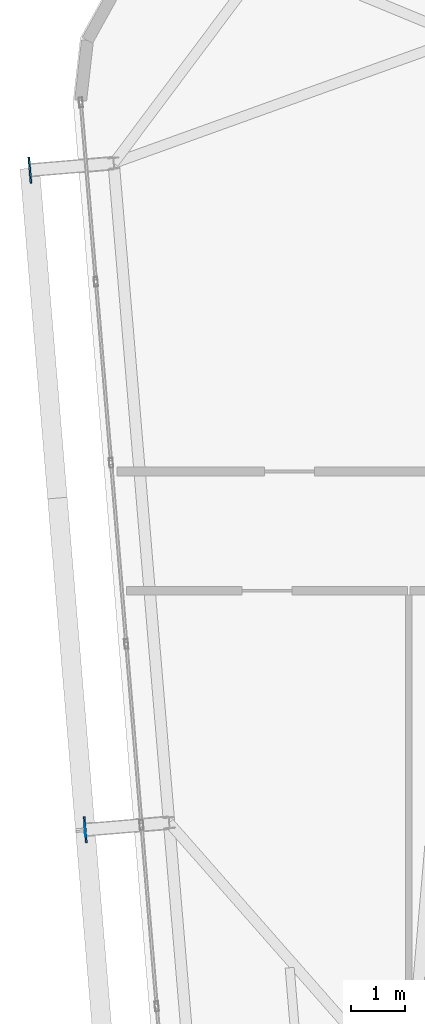
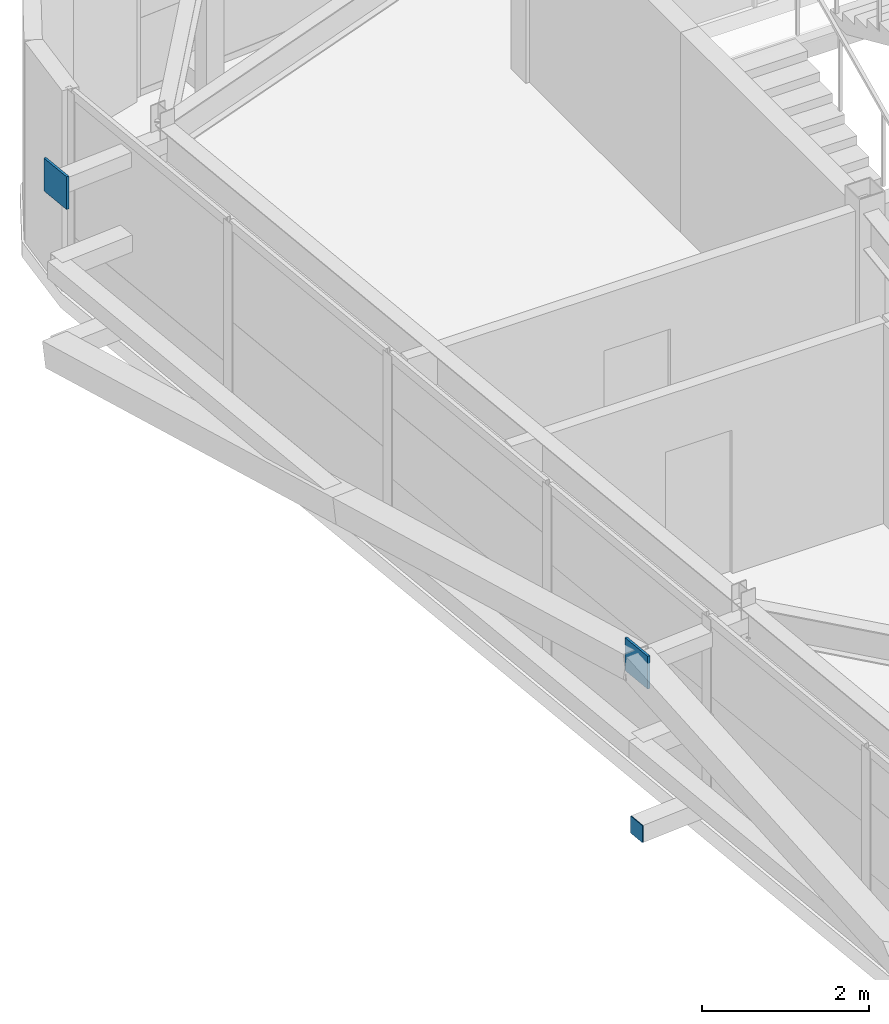
# One storey, part 36 of 44: 3 plates.
"""IFC4 building model written with IfcOpenShell, lengths in metres."""

from ifc_helpers import new_model, si_unit, direction, frame, origin, origin_2d, place, context, subcontext, project, spatial, rectangle, extrude, source, transform, mapped, material, layer, layer_set, type_object, element, save


model = new_model("IFC4")

# Units and contexts
model_context = context("Model", 3, precision=1e-05, world=origin(), true_north=direction((0.0, 1.0)))
body_context = subcontext(model_context, "Body", "Model", "MODEL_VIEW")
ifc_project = project(units=[si_unit("LENGTHUNIT", "METRE"), si_unit("AREAUNIT", "SQUARE_METRE"), si_unit("VOLUMEUNIT", "CUBIC_METRE"), si_unit("PLANEANGLEUNIT", "RADIAN"), si_unit("MASSUNIT", "GRAM", prefix="KILO")], contexts=[model_context])

# Site, building, storey
site_placement = place(None, origin())
site = spatial("IfcSite", under=ifc_project, at=site_placement, CompositionType="ELEMENT")
building_placement = place(site_placement, origin())
building = spatial("IfcBuilding", under=site, at=building_placement, Name="Taldren Reach Tower", CompositionType="ELEMENT")
storey_placement = place(building_placement, frame((0.0, 0.0, 191.449951171875)))
storey = spatial("IfcBuildingStorey", under=building, at=storey_placement, Name="L58", CompositionType="ELEMENT", Elevation=191.449951171875)

# Plates
ifc_material_1 = material(Name="Steel Gr 350 (C350L0)", Category="steel")
ifc_layer_1 = layer(ifc_material_1, 0.011962890625)
ifc_layer_set_1 = layer_set([ifc_layer_1], Name="Steel Gr 350 (C350L0)")
plate_type_1 = type_object("IfcPlateType", Name="PL-CAP-250", PredefinedType="SHEET", material=ifc_layer_set_1)
shared_shape_1 = source(origin(), body_context, "Body", "SweptSolid", [
    extrude(rectangle(XDim=0.011962890625, YDim=0.25, at=origin_2d()), origin(), (0.0, 0.0, 1.0), 0.25),
])
plate_placement = place(storey_placement, frame((12.0322265625, 17.39501953125, 0.094970703125), z_axis=(0.0, 0.0, 1.0), x_axis=(0.99649285925, 0.083677843332, 0.0)))
element("IfcPlate", 1, at=plate_placement, inside=storey, type_object=plate_type_1, Name="Tie strut end cap plate B4-W2 L58", PredefinedType="SHEET", context=body_context, shape_type="MappedRepresentation", body=[
    mapped(shared_shape_1, transform((0.0, 0.0, 0.0), scale=1.0)),
])
ifc_material_2 = material(Name="Steel Gr 450 (C450L0)", Category="steel")
ifc_layer_2 = layer(ifc_material_2, 0.031982421875)
ifc_layer_set_2 = layer_set([ifc_layer_2], Name="Steel Gr 450 (C450L0)")
plate_type_2 = type_object("IfcPlateType", Name="PL-GUSSET-32", PredefinedType="SHEET", material=ifc_layer_set_2)
shared_shape_2 = source(origin(), body_context, "Body", "SweptSolid", [
    extrude(rectangle(XDim=0.47998046875, YDim=0.031982421875, at=origin_2d()), origin(), (0.0, 0.0, 1.0), 0.47998046875),
])
for number, where, z_axis, x_axis, name in (
    (2, (12.0380859375, 17.3955078125, 2.41015625), (0.0, 0.0, 1.0), (-0.083677843332, 0.99649285925, 0.0), "Exoskeleton star-node gusset plate B4-W2 L58"),
    (3, (11.017333984375, 29.552734375, 2.41015625), (0.0, 0.0, 1.0), (-0.083677843332, 0.99649285925, 0.0), "Exoskeleton star-node gusset plate B4-W3 L58"),
):
    element("IfcPlate", number, at=place(storey_placement, frame(where, z_axis=z_axis, x_axis=x_axis)), inside=storey, type_object=plate_type_2, Name=name, PredefinedType="SHEET", context=body_context, shape_type="MappedRepresentation", body=[
        mapped(shared_shape_2, transform((0.0, 0.0, 0.0), scale=1.0)),
    ])

save(model, "model.ifc")
